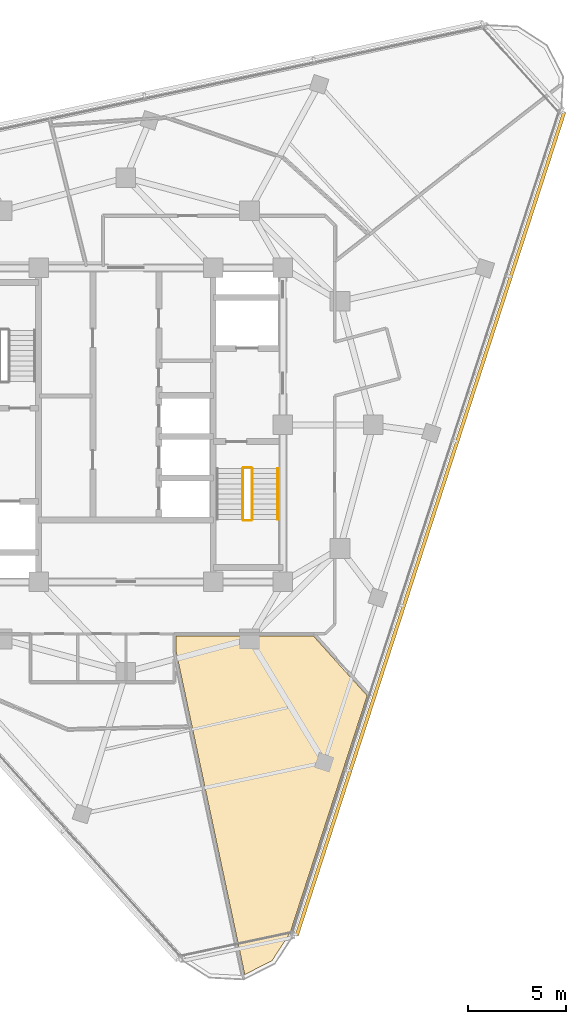
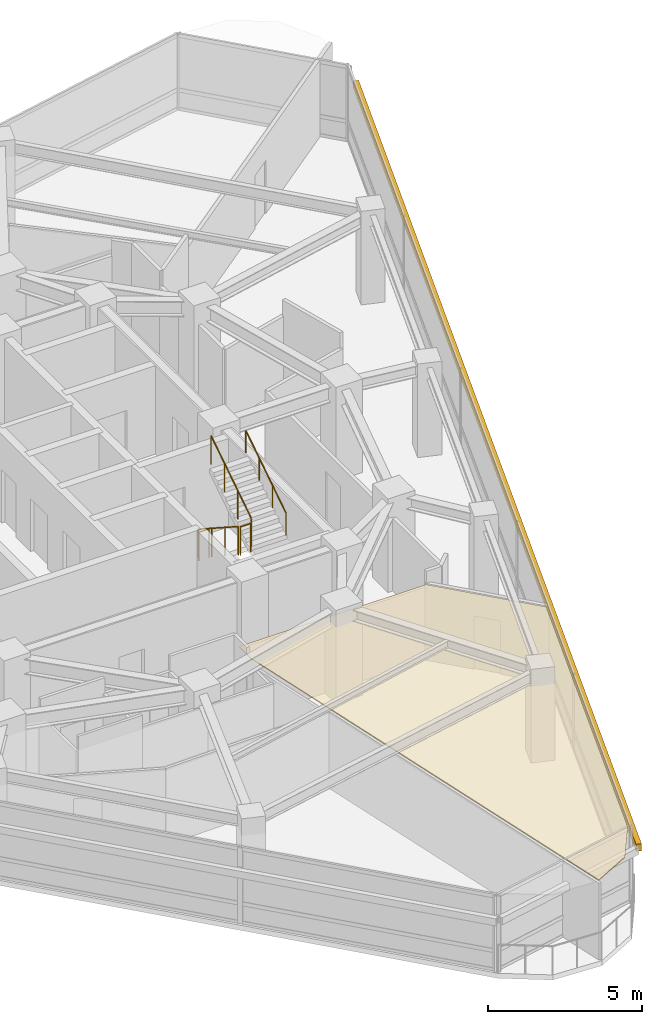
# One storey, part 13 of 15: 5 railings, 1 covering, 1 shading device.
"""IFC4 building model written with IfcOpenShell, lengths in metres."""

from ifc_helpers import new_model, si_unit, direction, frame, origin, origin_2d, place, context, subcontext, project, spatial, polyline, rectangle, circle, outline, extrude, material, layer, layer_set, type_object, element, save


model = new_model("IFC4")

# Units and contexts
model_context = context("Model", 3, precision=1e-05, world=origin(), true_north=direction((0.0, 1.0)))
body_context = subcontext(model_context, "Body", "Model", "MODEL_VIEW")
ifc_project = project(units=[si_unit("LENGTHUNIT", "METRE"), si_unit("AREAUNIT", "SQUARE_METRE"), si_unit("VOLUMEUNIT", "CUBIC_METRE"), si_unit("PLANEANGLEUNIT", "RADIAN"), si_unit("MASSUNIT", "GRAM", prefix="KILO")], contexts=[model_context])

# Site, building, storey
site_placement = place(None, origin())
site = spatial("IfcSite", under=ifc_project, at=site_placement, CompositionType="ELEMENT")
building_placement = place(site_placement, origin())
building = spatial("IfcBuilding", under=site, at=building_placement, Name="Terralouvre Media Tower", CompositionType="ELEMENT")
storey_placement = place(building_placement, frame((0.0, 0.0, 283.199951171875)))
storey = spatial("IfcBuildingStorey", under=building, at=storey_placement, Name="L73", CompositionType="ELEMENT", Elevation=283.199951171875)

# Covering
ifc_material_1 = material(Name="Perforated aluminium acoustic ceiling baffle", Category="aluminium")
ifc_layer_1 = layer(ifc_material_1, 0.0400390625, Name="Perforated Acoustic Metal Tile Ceiling CL-AC1")
ifc_layer_set_1 = layer_set([ifc_layer_1], Name="Perforated aluminium acoustic ceiling baffle")
covering_type = type_object("IfcCoveringType", Name="Perforated Acoustic Metal Tile Ceiling CL-AC1", PredefinedType="CEILING", material=ifc_layer_set_1)
covering_placement = place(storey_placement, frame((0.0, 0.0, 2.97998046875), z_axis=(0.0, 0.0, 1.0), x_axis=(0.309016994375, 0.951056516295, 0.0)))
element("IfcCovering", 1, at=covering_placement, inside=storey, type_object=covering_type, Name="L73 Voice Coaching Interview Room 5 Acoustic Ceiling", PredefinedType="CEILING", context=body_context, shape_type="SweptSolid", body=[
    extrude(outline(polyline([(-9.435791015625, -5.7470703125), (-10.163818359375, -5.983642578125), (-13.560791015625, -7.945068359375), (-24.7685546875, -14.4150390625), (-23.666015625, -15.518310546875), (-22.03125, -15.9560546875), (-9.32763671875, -15.956298828125), (-7.2744140625, -12.399169921875), (-9.435791015625, -5.7470703125)])), origin(), (0.0, 0.0, 1.0), 0.0400390625),
])

# Railings
ifc_material_2 = material(Name="Stainless steel 316 handrail and balustrade", Category="steel")
ifc_layer_2 = layer(ifc_material_2, 0.050048828125, Name="Stair Flight Wall Handrail HR-INT1")
ifc_layer_set_2 = layer_set([ifc_layer_2], Name="Stainless steel 316 handrail and balustrade")
railing_type_1 = type_object("IfcRailingType", Name="Stair Flight Wall Handrail HR-INT1", PredefinedType="HANDRAIL", material=ifc_layer_set_2)
railing_1_placement = place(storey_placement, frame((7.72998046875, -4.820068359375, 2.018310546875)))
element("IfcRailing", 2, at=railing_1_placement, inside=storey, type_object=railing_type_1, Name="L73 ST-02 stair handrail 2", PredefinedType="HANDRAIL", context=body_context, shape_type="SweptSolid", body=[
    extrude(circle(Radius=0.02392578125, at=origin_2d()), frame((0.0, 0.0, 0.8759765625), z_axis=(0.0, 0.839684365666, 0.543074733399), x_axis=(-1.0, 0.0, 0.0)), (0.0, 0.0, 1.0), 3.096435546875),
    extrude(circle(Radius=0.02099609375, at=origin_2d()), origin(), (0.0, 0.0, 1.0), 0.851806640625),
    extrude(circle(Radius=0.02099609375, at=origin_2d()), frame((0.0, 0.86669921875, 0.560546875)), (0.0, 0.0, 1.0), 0.851806640625),
    extrude(circle(Radius=0.02099609375, at=origin_2d()), frame((0.0, 1.7333984375, 1.12109375)), (0.0, 0.0, 1.0), 0.851806640625),
    extrude(circle(Radius=0.02099609375, at=origin_2d()), frame((0.0, 2.60009765625, 1.681640625)), (0.0, 0.0, 1.0), 0.851806640625),
])
ifc_material_3 = material(Name="Stainless steel 316 handrail and balustrade", Category="steel")
ifc_layer_3 = layer(ifc_material_3, 0.050048828125, Name="Stairwell Safety Guardrail GR-INT1")
ifc_layer_set_3 = layer_set([ifc_layer_3], Name="Stainless steel 316 handrail and balustrade")
railing_type_2 = type_object("IfcRailingType", Name="Stairwell Safety Guardrail GR-INT1", PredefinedType="GUARDRAIL", material=ifc_layer_set_3)
railing_2_placement = place(storey_placement, frame((5.949951171875, -2.219970703125, 0.168212890625)))
element("IfcRailing", 3, at=railing_2_placement, inside=storey, type_object=railing_type_2, Name="L73 ST-02 stair guard 1", PredefinedType="GUARDRAIL", context=body_context, shape_type="SweptSolid", body=[
    extrude(circle(Radius=0.02392578125, at=origin_2d()), frame((0.0, 0.0, 1.1259765625), z_axis=(0.0, -0.839648411786, 0.543130320075), x_axis=(1.0, 0.0, 0.0)), (0.0, 0.0, 1.0), 3.0966796875),
    extrude(circle(Radius=0.02099609375, at=origin_2d()), origin(), (0.0, 0.0, 1.0), 1.101806640625),
    extrude(circle(Radius=0.02099609375, at=origin_2d()), frame((0.0, -0.86669921875, 0.560546875)), (0.0, 0.0, 1.0), 1.101806640625),
    extrude(circle(Radius=0.02099609375, at=origin_2d()), frame((0.0, -1.7333984375, 1.121337890625)), (0.0, 0.0, 1.0), 1.101806640625),
    extrude(circle(Radius=0.02099609375, at=origin_2d()), frame((0.0, -2.60009765625, 1.681884765625)), (0.0, 0.0, 1.0), 1.101806640625),
])
railing_3_placement = place(storey_placement, frame((6.0, -4.8701171875, 1.85009765625)))
element("IfcRailing", 4, at=railing_3_placement, inside=storey, type_object=railing_type_2, Name="L73 ST-02 stair guard 2", PredefinedType="GUARDRAIL", context=body_context, shape_type="SweptSolid", body=[
    extrude(circle(Radius=0.02392578125, at=origin_2d()), frame((0.0, 0.0, 1.1259765625), z_axis=(1.0, 0.0, 0.0), x_axis=(0.0, 1.0, 0.0)), (0.0, 0.0, 1.0), 0.3798828125),
    extrude(circle(Radius=0.02099609375, at=origin_2d()), origin(), (0.0, 0.0, 1.0), 1.101806640625),
    extrude(circle(Radius=0.02099609375, at=origin_2d()), frame((0.3798828125, 0.0, 0.0)), (0.0, 0.0, 1.0), 1.101806640625),
])
railing_4_placement = place(storey_placement, frame((6.429931640625, -4.820068359375, 2.018310546875)))
element("IfcRailing", 5, at=railing_4_placement, inside=storey, type_object=railing_type_2, Name="L73 ST-02 stair guard 3", PredefinedType="GUARDRAIL", context=body_context, shape_type="SweptSolid", body=[
    extrude(circle(Radius=0.02392578125, at=origin_2d()), frame((0.0, 0.0, 1.1259765625), z_axis=(0.0, 0.839684365666, 0.543074733399), x_axis=(-1.0, 0.0, 0.0)), (0.0, 0.0, 1.0), 3.096435546875),
    extrude(circle(Radius=0.02099609375, at=origin_2d()), origin(), (0.0, 0.0, 1.0), 1.101806640625),
    extrude(circle(Radius=0.02099609375, at=origin_2d()), frame((0.0, 0.86669921875, 0.560546875)), (0.0, 0.0, 1.0), 1.101806640625),
    extrude(circle(Radius=0.02099609375, at=origin_2d()), frame((0.0, 1.7333984375, 1.12109375)), (0.0, 0.0, 1.0), 1.101806640625),
    extrude(circle(Radius=0.02099609375, at=origin_2d()), frame((0.0, 2.60009765625, 1.681640625)), (0.0, 0.0, 1.0), 1.101806640625),
])
railing_5_placement = place(storey_placement, frame((6.0, -2.169921875, 0.0)))
element("IfcRailing", 6, at=railing_5_placement, inside=storey, type_object=railing_type_2, Name="L73 ST-02 stair guard 4", PredefinedType="GUARDRAIL", context=body_context, shape_type="SweptSolid", body=[
    extrude(circle(Radius=0.02392578125, at=origin_2d()), frame((0.0, 0.0, 1.1259765625), z_axis=(1.0, 0.0, 0.0), x_axis=(0.0, 1.0, 0.0)), (0.0, 0.0, 1.0), 0.3798828125),
    extrude(circle(Radius=0.02099609375, at=origin_2d()), origin(), (0.0, 0.0, 1.0), 1.101806640625),
    extrude(circle(Radius=0.02099609375, at=origin_2d()), frame((0.3798828125, 0.0, 0.0)), (0.0, 0.0, 1.0), 1.101806640625),
])

# Shading device
ifc_material_4 = material(Name="Extruded terracotta baguette sunshade louvres", Category="masonry")
shading_device_type = type_object("IfcShadingDeviceType", Name="Terracotta Baguette Sunshade Louvre Screen TB-LV1", PredefinedType="USERDEFINED", material=ifc_material_4)
shading_device_placement = place(storey_placement, frame((15.517822265625, -5.0419921875, 2.02392578125), z_axis=(0.0, 0.0, 1.0), x_axis=(0.309017021946, 0.951056507337, 0.0)))
element("IfcShadingDevice", 7, at=shading_device_placement, inside=storey, type_object=shading_device_type, Name="CW-L73-F0 Terracotta Baguette Sunshade Louvre", ObjectType="BAGUETTE", PredefinedType="USERDEFINED", context=body_context, shape_type="SweptSolid", body=[
    extrude(rectangle(XDim=44.1201171875, YDim=0.179931640625, at=origin_2d()), origin(), (0.0, 0.0, 1.0), 0.280029296875),
])

save(model, "model.ifc")
